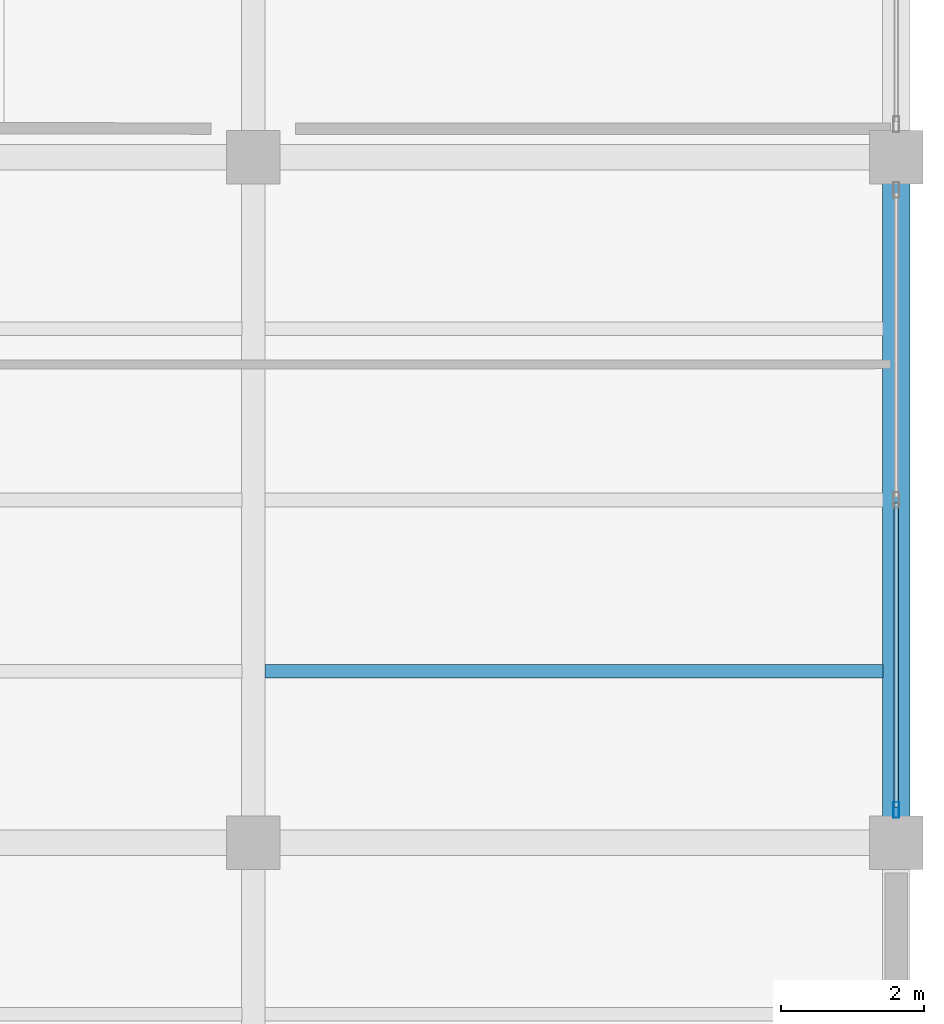
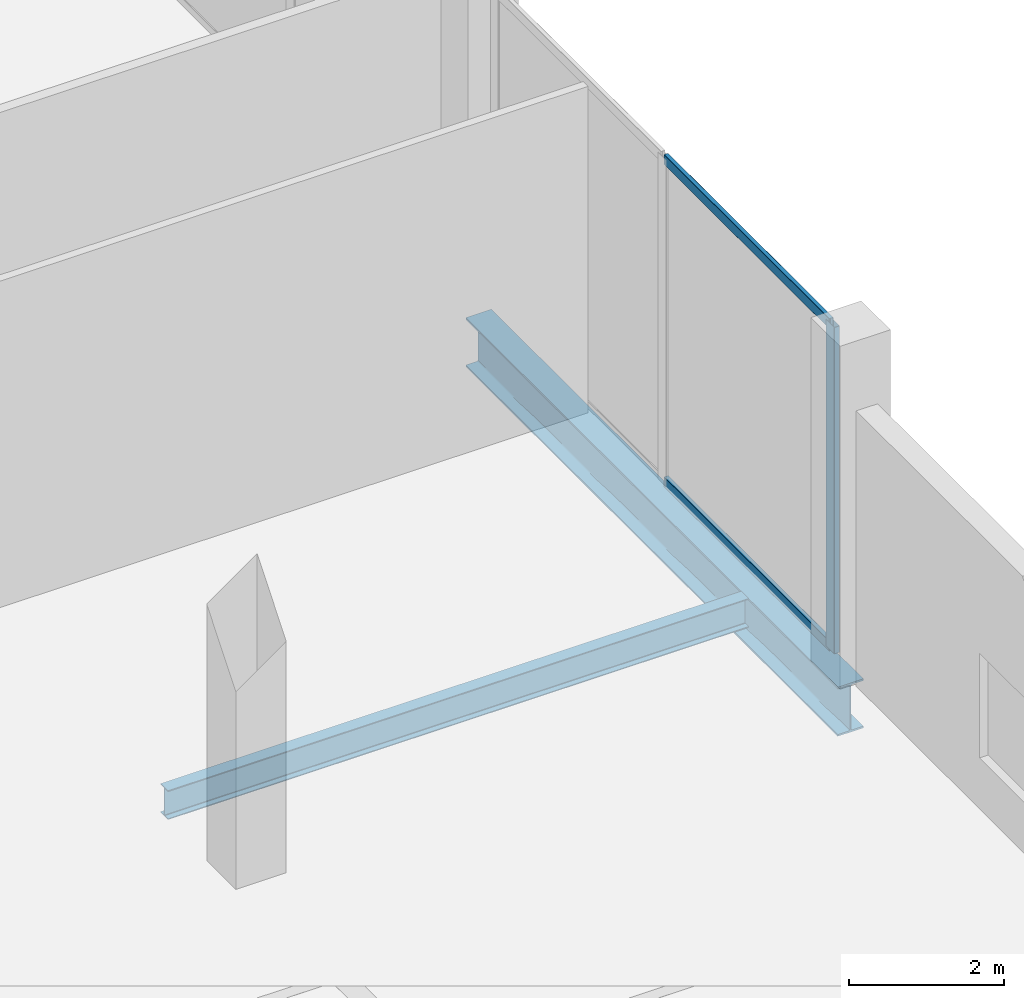
# One storey, part 15 of 47: 3 members, 2 beams, 1 element without a shape of its own.
"""IFC4 building model written with IfcOpenShell, lengths in metres."""

from ifc_helpers import new_model, si_unit, direction, frame, origin, origin_2d, place, context, subcontext, project, spatial, hollow_rectangle, i_section, extrude, material, layer, layer_set, material_profile, profile_set, type_object, element, aggregate, save


model = new_model("IFC4")

# Units and contexts
model_context = context("Model", 3, precision=1e-05, world=origin(), true_north=direction((0.0, 1.0)))
body_context = subcontext(model_context, "Body", "Model", "MODEL_VIEW")
ifc_project = project(units=[si_unit("LENGTHUNIT", "METRE"), si_unit("AREAUNIT", "SQUARE_METRE"), si_unit("VOLUMEUNIT", "CUBIC_METRE"), si_unit("PLANEANGLEUNIT", "RADIAN"), si_unit("MASSUNIT", "GRAM", prefix="KILO")], contexts=[model_context])

# Site, building, storey
site_placement = place(None, origin())
site = spatial("IfcSite", under=ifc_project, at=site_placement, CompositionType="ELEMENT")
building_placement = place(site_placement, origin())
building = spatial("IfcBuilding", under=site, at=building_placement, Name="Qorvath Tower", CompositionType="ELEMENT")
storey_placement = place(building_placement, frame((0.0, 0.0, 6.60009765625)))
storey = spatial("IfcBuildingStorey", under=building, at=storey_placement, Name="L01", CompositionType="ELEMENT", Elevation=6.60009765625)

# Beams
ifc_material_1 = material(Name="Steel ASTM A992 Grade 50", Category="steel")
ifc_material_profile_1 = material_profile(ifc_material_1, i_section(OverallWidth=0.381103515625, OverallDepth=0.77294921875, WebThickness=0.0166015625, FlangeThickness=0.027099609375, FilletRadius=0.01904296875, at=origin_2d()), Name="W30x173")
ifc_profile_set_1 = profile_set([ifc_material_profile_1], Name="Steel ASTM A992 Grade 50")
beam_type_1 = type_object("IfcBeamType", Name="BM-FG3", PredefinedType="BEAM", material=ifc_profile_set_1)
beam_1_placement = place(storey_placement, frame((77.39990234375, -19.199951171875, -0.646484375), z_axis=(0.0, 1.0, 0.0), x_axis=(-1.0, 0.0, 0.0)))
element("IfcBeam", 1, at=beam_1_placement, inside=storey, type_object=beam_type_1, Name="Library N-S Girder L01-6-3", PredefinedType="BEAM", context=body_context, shape_type="SweptSolid", body=[
    extrude(i_section(OverallWidth=0.381103515625, OverallDepth=0.77294921875, WebThickness=0.0166015625, FlangeThickness=0.027099609375, FilletRadius=0.01904296875, at=origin_2d()), origin(), (0.0, 0.0, 1.0), 9.599853515625),
])
ifc_material_2 = material(Name="Steel ASTM A992 Grade 50", Category="steel")
ifc_material_profile_2 = material_profile(ifc_material_2, i_section(OverallWidth=0.18994140625, OverallDepth=0.45703125, WebThickness=0.009033203125, FlangeThickness=0.014404296875, FilletRadius=0.011962890625, at=origin_2d()), Name="W18x50")
ifc_profile_set_2 = profile_set([ifc_material_profile_2], Name="Steel ASTM A992 Grade 50")
beam_type_2 = type_object("IfcBeamType", Name="BM-FJ2", PredefinedType="JOIST", material=ifc_profile_set_2)
beam_2_placement = place(storey_placement, frame((68.560546875, -16.800048828125, -0.488525390625), z_axis=(1.0, 0.0, 0.0), x_axis=(0.0, 1.0, 0.0)))
element("IfcBeam", 2, at=beam_2_placement, inside=storey, type_object=beam_type_2, Name="Library Stack Joist L01-3.1-5", PredefinedType="JOIST", context=body_context, shape_type="SweptSolid", body=[
    extrude(i_section(OverallWidth=0.18994140625, OverallDepth=0.45703125, WebThickness=0.009033203125, FlangeThickness=0.014404296875, FilletRadius=0.011962890625, at=origin_2d()), origin(), (0.0, 0.0, 1.0), 8.65087890625),
])

# Curtain wall, members
ifc_material_3 = material(Name="Anodised aluminium and triple low-E glass", Category="aluminium")
ifc_layer = layer(ifc_material_3, 0.179931640625)
ifc_layer_set = layer_set([ifc_layer], Name="CW-SYS-6")
curtain_wall_type = type_object("IfcCurtainWallType", Name="CW-SYS-6", PredefinedType="NOTDEFINED", material=ifc_layer_set)
curtain_wall_placement = place(storey_placement, origin())
curtain_wall = element("IfcCurtainWall", 3, at=curtain_wall_placement, inside=storey, type_object=curtain_wall_type, Name="Curtain Wall CW-6 CW-LIB-E-L01-3", PredefinedType="NOTDEFINED")
ifc_material_4 = material(Name="Anodised aluminium 6063-T6", Category="aluminium")
ifc_material_profile_3 = material_profile(ifc_material_4, hollow_rectangle(XDim=0.080078125, YDim=0.219970703125, WallThickness=0.00439453125, InnerFilletRadius=0.00439453125, OuterFilletRadius=0.009033203125, at=origin_2d()), Name="CWM LIB 220x80")
ifc_profile_set_3 = profile_set([ifc_material_profile_3], Name="Anodised aluminium 6063-T6")
member_type_1 = type_object("IfcMemberType", Name="CWM-LIB", PredefinedType="MULLION", material=ifc_profile_set_3)
member_1_placement = place(storey_placement, frame((77.39990234375, -18.739990234375, 0.0), z_axis=(0.0, 0.0, 1.0), x_axis=(-1.0, 0.0, 0.0)))
member_1 = element("IfcMember", 4, at=member_1_placement, type_object=member_type_1, Name="CW-6 mullion 1", PredefinedType="MULLION", context=body_context, shape_type="SweptSolid", body=[
    extrude(hollow_rectangle(XDim=0.080078125, YDim=0.219970703125, WallThickness=0.00439453125, InnerFilletRadius=0.00439453125, OuterFilletRadius=0.009033203125, at=origin_2d()), origin(), (0.0, 0.0, 1.0), 5.139892578125),
])
ifc_material_5 = material(Name="Anodised aluminium 6063-T6", Category="aluminium")
ifc_material_profile_4 = material_profile(ifc_material_5, hollow_rectangle(XDim=0.06494140625, YDim=0.159912109375, WallThickness=0.00341796875, InnerFilletRadius=0.00341796875, OuterFilletRadius=0.007080078125, at=origin_2d()), Name="CWT 160x65")
ifc_profile_set_4 = profile_set([ifc_material_profile_4], Name="Anodised aluminium 6063-T6")
member_type_2 = type_object("IfcMemberType", Name="CWT-160", PredefinedType="USERDEFINED", material=ifc_profile_set_4)
member_2_placement = place(storey_placement, frame((77.39990234375, -18.699951171875, 0.032470703125), z_axis=(0.0, 1.0, 0.0), x_axis=(-1.0, 0.0, 0.0)))
member_2 = element("IfcMember", 5, at=member_2_placement, type_object=member_type_2, Name="CW-6 transom 1.1", ObjectType="TRANSOM", PredefinedType="USERDEFINED", context=body_context, shape_type="SweptSolid", body=[
    extrude(hollow_rectangle(XDim=0.06494140625, YDim=0.159912109375, WallThickness=0.00341796875, InnerFilletRadius=0.00341796875, OuterFilletRadius=0.007080078125, at=origin_2d()), origin(), (0.0, 0.0, 1.0), 4.260009765625),
])
member_3_placement = place(storey_placement, frame((77.39990234375, -18.699951171875, 5.107421875), z_axis=(0.0, 1.0, 0.0), x_axis=(-1.0, 0.0, 0.0)))
member_3 = element("IfcMember", 6, at=member_3_placement, type_object=member_type_2, Name="CW-6 transom 1.2", ObjectType="TRANSOM", PredefinedType="USERDEFINED", context=body_context, shape_type="SweptSolid", body=[
    extrude(hollow_rectangle(XDim=0.06494140625, YDim=0.159912109375, WallThickness=0.00341796875, InnerFilletRadius=0.00341796875, OuterFilletRadius=0.007080078125, at=origin_2d()), origin(), (0.0, 0.0, 1.0), 4.260009765625),
])
aggregate(curtain_wall, [member_1, member_2, member_3])

save(model, "model.ifc")
